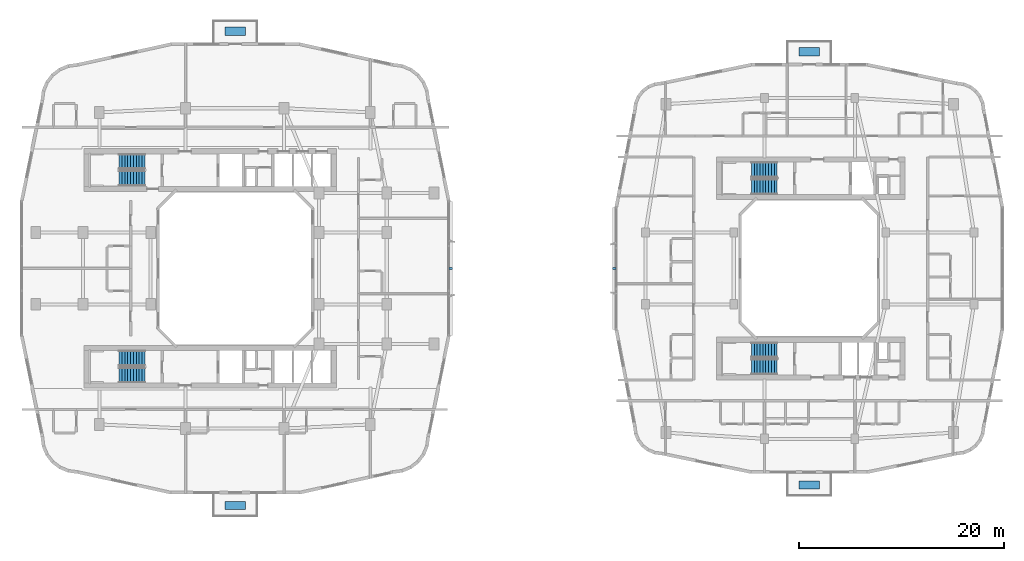
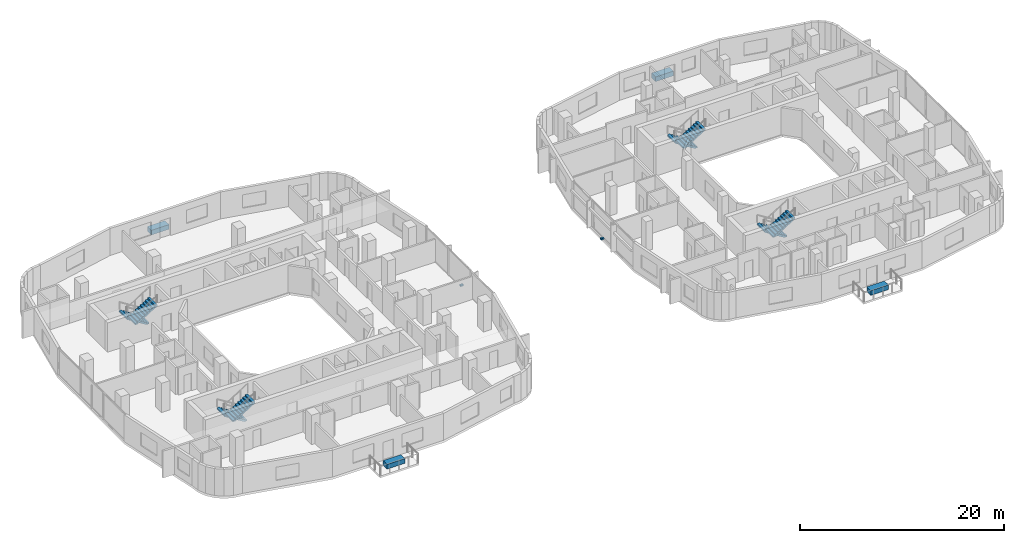
# One storey, part 17 of 22: 8 stair flights, 6 discrete accessories, 4 elements without a shape of their own.
"""IFC4 building model written with IfcOpenShell, lengths in metres."""

from ifc_helpers import new_model, si_unit, derived_unit, direction, frame, origin, origin_2d, place, context, subcontext, project, spatial, polyline, rectangle, outline, extrude, material, type_object, element, aggregate, save


model = new_model("IFC4")

# Units and contexts
model_context = context("Model", 3, precision=1e-05, world=origin(), true_north=direction((0.0, 1.0)))
body_context = subcontext(model_context, "Body", "Model", "MODEL_VIEW")
ifc_project = project(units=[si_unit("LENGTHUNIT", "METRE"), si_unit("AREAUNIT", "SQUARE_METRE"), si_unit("VOLUMEUNIT", "CUBIC_METRE"), si_unit("PLANEANGLEUNIT", "RADIAN"), si_unit("MASSUNIT", "GRAM", prefix="KILO"), derived_unit("THERMALTRANSMITTANCEUNIT", [(si_unit("POWERUNIT", "WATT"), 1), (si_unit("LENGTHUNIT", "METRE"), -2), (si_unit("THERMODYNAMICTEMPERATUREUNIT", "KELVIN"), -1)])], contexts=[model_context])

# Site, building, storey
site_placement = place(None, origin())
site = spatial("IfcSite", under=ifc_project, at=site_placement, CompositionType="ELEMENT")
building_placement = place(site_placement, origin())
building = spatial("IfcBuilding", under=site, at=building_placement, Name="Kivonza Crest Hotel", CompositionType="ELEMENT")
storey_placement = place(building_placement, frame((0.0, 0.0, 59.0)))
storey = spatial("IfcBuildingStorey", under=building, at=storey_placement, Name="L15", CompositionType="ELEMENT", Elevation=59.0)

# Stair, stair flights
ifc_material_1 = material(Name="Concrete C40/50", Category="concrete")
stair_type = type_object("IfcStairType", Name="ST-DL-20R", PredefinedType="HALF_TURN_STAIR", material=ifc_material_1)
stair_1_placement = place(storey_placement, origin())
stair_1 = element("IfcStair", 1, at=stair_1_placement, inside=storey, type_object=stair_type, Name="L15 Protected Exit Stair ST-T1-N", PredefinedType="HALF_TURN_STAIR")
stair_flight_type = type_object("IfcStairFlightType", Name="SFL-RC-10R", PredefinedType="STRAIGHT", material=ifc_material_1)
stair_flight_1_placement = place(storey_placement, frame((12.239990234375, 35.409912109375, 0.0), z_axis=(0.0, 0.0, 1.0), x_axis=(-1.0, 0.0, 0.0)))
stair_flight_1 = element("IfcStairFlight", 2, at=stair_flight_1_placement, type_object=stair_flight_type, Name="ST-T1-N flight 1", NumberOfRisers=10, NumberOfTreads=9, PredefinedType="STRAIGHT", RiserHeight=0.175, TreadLength=0.28, context=body_context, shape_type="SweptSolid", body=[
    extrude(outline(polyline([(0.0, 0.0), (0.0, 0.175048828125), (0.280029296875, 0.175048828125), (0.280029296875, 0.35009765625), (0.56005859375, 0.35009765625), (0.56005859375, 0.52490234375), (0.840087890625, 0.52490234375), (0.840087890625, 0.699951171875), (1.1201171875, 0.699951171875), (1.1201171875, 0.875), (1.39990234375, 0.875), (1.39990234375, 1.050048828125), (1.679931640625, 1.050048828125), (1.679931640625, 1.22509765625), (1.9599609375, 1.22509765625), (1.9599609375, 1.39990234375), (2.239990234375, 1.39990234375), (2.239990234375, 1.574951171875), (2.52001953125, 1.574951171875), (2.52001953125, 1.75), (2.52001953125, 1.398193359375), (0.28271484375, 0.0), (0.0, 0.0)])), frame((0.0, 0.75, 0.0), z_axis=(0.0, -1.0, 0.0), x_axis=(1.0, 0.0, 0.0)), (0.0, 0.0, 1.0), 1.5),
])
stair_flight_2_placement = place(storey_placement, frame((9.719970703125, 33.77001953125, 1.75), z_axis=(0.0, 0.0, 1.0), x_axis=(1.0, 0.0, 0.0)))
stair_flight_2 = element("IfcStairFlight", 3, at=stair_flight_2_placement, type_object=stair_flight_type, Name="ST-T1-N flight 2", NumberOfRisers=10, NumberOfTreads=9, PredefinedType="STRAIGHT", RiserHeight=0.175, TreadLength=0.28, context=body_context, shape_type="SweptSolid", body=[
    extrude(outline(polyline([(0.0, 0.0), (0.0, 0.175048828125), (0.280029296875, 0.175048828125), (0.280029296875, 0.35009765625), (0.56005859375, 0.35009765625), (0.56005859375, 0.52490234375), (0.840087890625, 0.52490234375), (0.840087890625, 0.699951171875), (1.1201171875, 0.699951171875), (1.1201171875, 0.875), (1.39990234375, 0.875), (1.39990234375, 1.050048828125), (1.679931640625, 1.050048828125), (1.679931640625, 1.22509765625), (1.9599609375, 1.22509765625), (1.9599609375, 1.39990234375), (2.239990234375, 1.39990234375), (2.239990234375, 1.574951171875), (2.52001953125, 1.574951171875), (2.52001953125, 1.75), (2.52001953125, 1.398193359375), (0.28271484375, 0.0), (0.0, 0.0)])), frame((0.0, 0.75, 0.0), z_axis=(0.0, -1.0, 0.0), x_axis=(1.0, 0.0, 0.0)), (0.0, 0.0, 1.0), 1.5),
])
aggregate(stair_1, [stair_flight_1, stair_flight_2])

stair_2_placement = place(storey_placement, origin())
stair_2 = element("IfcStair", 4, at=stair_2_placement, inside=storey, type_object=stair_type, Name="L15 Protected Exit Stair ST-T1-S", PredefinedType="HALF_TURN_STAIR")
stair_flight_3_placement = place(storey_placement, frame((12.239990234375, 16.25, 0.0), z_axis=(0.0, 0.0, 1.0), x_axis=(-1.0, 0.0, 0.0)))
stair_flight_3 = element("IfcStairFlight", 5, at=stair_flight_3_placement, type_object=stair_flight_type, Name="ST-T1-S flight 1", NumberOfRisers=10, NumberOfTreads=9, PredefinedType="STRAIGHT", RiserHeight=0.175, TreadLength=0.28, context=body_context, shape_type="SweptSolid", body=[
    extrude(outline(polyline([(0.0, 0.0), (0.0, 0.175048828125), (0.280029296875, 0.175048828125), (0.280029296875, 0.35009765625), (0.56005859375, 0.35009765625), (0.56005859375, 0.52490234375), (0.840087890625, 0.52490234375), (0.840087890625, 0.699951171875), (1.1201171875, 0.699951171875), (1.1201171875, 0.875), (1.39990234375, 0.875), (1.39990234375, 1.050048828125), (1.679931640625, 1.050048828125), (1.679931640625, 1.22509765625), (1.9599609375, 1.22509765625), (1.9599609375, 1.39990234375), (2.239990234375, 1.39990234375), (2.239990234375, 1.574951171875), (2.52001953125, 1.574951171875), (2.52001953125, 1.75), (2.52001953125, 1.398193359375), (0.28271484375, 0.0), (0.0, 0.0)])), frame((0.0, 0.75, 0.0), z_axis=(0.0, -1.0, 0.0), x_axis=(1.0, 0.0, 0.0)), (0.0, 0.0, 1.0), 1.5),
])
stair_flight_4_placement = place(storey_placement, frame((9.719970703125, 14.610107421875, 1.75), z_axis=(0.0, 0.0, 1.0), x_axis=(1.0, 0.0, 0.0)))
stair_flight_4 = element("IfcStairFlight", 6, at=stair_flight_4_placement, type_object=stair_flight_type, Name="ST-T1-S flight 2", NumberOfRisers=10, NumberOfTreads=9, PredefinedType="STRAIGHT", RiserHeight=0.175, TreadLength=0.28, context=body_context, shape_type="SweptSolid", body=[
    extrude(outline(polyline([(0.0, 0.0), (0.0, 0.175048828125), (0.280029296875, 0.175048828125), (0.280029296875, 0.35009765625), (0.56005859375, 0.35009765625), (0.56005859375, 0.52490234375), (0.840087890625, 0.52490234375), (0.840087890625, 0.699951171875), (1.1201171875, 0.699951171875), (1.1201171875, 0.875), (1.39990234375, 0.875), (1.39990234375, 1.050048828125), (1.679931640625, 1.050048828125), (1.679931640625, 1.22509765625), (1.9599609375, 1.22509765625), (1.9599609375, 1.39990234375), (2.239990234375, 1.39990234375), (2.239990234375, 1.574951171875), (2.52001953125, 1.574951171875), (2.52001953125, 1.75), (2.52001953125, 1.398193359375), (0.28271484375, 0.0), (0.0, 0.0)])), frame((0.0, 0.75, 0.0), z_axis=(0.0, -1.0, 0.0), x_axis=(1.0, 0.0, 0.0)), (0.0, 0.0, 1.0), 1.5),
])
aggregate(stair_2, [stair_flight_3, stair_flight_4])

stair_3_placement = place(storey_placement, origin())
stair_3 = element("IfcStair", 7, at=stair_3_placement, inside=storey, type_object=stair_type, Name="L15 Protected Exit Stair ST-T2-N", PredefinedType="HALF_TURN_STAIR")
stair_flight_5_placement = place(storey_placement, frame((73.840087890625, 34.610107421875, 0.0), z_axis=(0.0, 0.0, 1.0), x_axis=(-1.0, 0.0, 0.0)))
stair_flight_5 = element("IfcStairFlight", 8, at=stair_flight_5_placement, type_object=stair_flight_type, Name="ST-T2-N flight 1", NumberOfRisers=10, NumberOfTreads=9, PredefinedType="STRAIGHT", RiserHeight=0.175, TreadLength=0.28, context=body_context, shape_type="SweptSolid", body=[
    extrude(outline(polyline([(0.0, 0.0), (0.0, 0.175048828125), (0.280029296875, 0.175048828125), (0.280029296875, 0.35009765625), (0.56005859375, 0.35009765625), (0.56005859375, 0.52490234375), (0.840087890625, 0.52490234375), (0.840087890625, 0.699951171875), (1.1201171875, 0.699951171875), (1.1201171875, 0.875), (1.39990234375, 0.875), (1.39990234375, 1.050048828125), (1.679931640625, 1.050048828125), (1.679931640625, 1.22509765625), (1.9599609375, 1.22509765625), (1.9599609375, 1.39990234375), (2.239990234375, 1.39990234375), (2.239990234375, 1.574951171875), (2.52001953125, 1.574951171875), (2.52001953125, 1.75), (2.52001953125, 1.398193359375), (0.28271484375, 0.0), (0.0, 0.0)])), frame((0.0, 0.75, 0.0), z_axis=(0.0, -1.0, 0.0), x_axis=(1.0, 0.0, 0.0)), (0.0, 0.0, 1.0), 1.5),
])
stair_flight_6_placement = place(storey_placement, frame((71.320068359375, 32.969970703125, 1.75), z_axis=(0.0, 0.0, 1.0), x_axis=(1.0, 0.0, 0.0)))
stair_flight_6 = element("IfcStairFlight", 9, at=stair_flight_6_placement, type_object=stair_flight_type, Name="ST-T2-N flight 2", NumberOfRisers=10, NumberOfTreads=9, PredefinedType="STRAIGHT", RiserHeight=0.175, TreadLength=0.28, context=body_context, shape_type="SweptSolid", body=[
    extrude(outline(polyline([(0.0, 0.0), (0.0, 0.175048828125), (0.280029296875, 0.175048828125), (0.280029296875, 0.35009765625), (0.56005859375, 0.35009765625), (0.56005859375, 0.52490234375), (0.840087890625, 0.52490234375), (0.840087890625, 0.699951171875), (1.1201171875, 0.699951171875), (1.1201171875, 0.875), (1.39990234375, 0.875), (1.39990234375, 1.050048828125), (1.679931640625, 1.050048828125), (1.679931640625, 1.22509765625), (1.9599609375, 1.22509765625), (1.9599609375, 1.39990234375), (2.239990234375, 1.39990234375), (2.239990234375, 1.574951171875), (2.52001953125, 1.574951171875), (2.52001953125, 1.75), (2.52001953125, 1.398193359375), (0.28271484375, 0.0), (0.0, 0.0)])), frame((0.0, 0.75, 0.0), z_axis=(0.0, -1.0, 0.0), x_axis=(1.0, 0.0, 0.0)), (0.0, 0.0, 1.0), 1.5),
])
aggregate(stair_3, [stair_flight_5, stair_flight_6])

stair_4_placement = place(storey_placement, origin())
stair_4 = element("IfcStair", 10, at=stair_4_placement, inside=storey, type_object=stair_type, Name="L15 Protected Exit Stair ST-T2-S", PredefinedType="HALF_TURN_STAIR")
stair_flight_7_placement = place(storey_placement, frame((73.840087890625, 17.050048828125, 0.0), z_axis=(0.0, 0.0, 1.0), x_axis=(-1.0, 0.0, 0.0)))
stair_flight_7 = element("IfcStairFlight", 11, at=stair_flight_7_placement, type_object=stair_flight_type, Name="ST-T2-S flight 1", NumberOfRisers=10, NumberOfTreads=9, PredefinedType="STRAIGHT", RiserHeight=0.175, TreadLength=0.28, context=body_context, shape_type="SweptSolid", body=[
    extrude(outline(polyline([(0.0, 0.0), (0.0, 0.175048828125), (0.280029296875, 0.175048828125), (0.280029296875, 0.35009765625), (0.56005859375, 0.35009765625), (0.56005859375, 0.52490234375), (0.840087890625, 0.52490234375), (0.840087890625, 0.699951171875), (1.1201171875, 0.699951171875), (1.1201171875, 0.875), (1.39990234375, 0.875), (1.39990234375, 1.050048828125), (1.679931640625, 1.050048828125), (1.679931640625, 1.22509765625), (1.9599609375, 1.22509765625), (1.9599609375, 1.39990234375), (2.239990234375, 1.39990234375), (2.239990234375, 1.574951171875), (2.52001953125, 1.574951171875), (2.52001953125, 1.75), (2.52001953125, 1.398193359375), (0.28271484375, 0.0), (0.0, 0.0)])), frame((0.0, 0.75, 0.0), z_axis=(0.0, -1.0, 0.0), x_axis=(1.0, 0.0, 0.0)), (0.0, 0.0, 1.0), 1.5),
])
stair_flight_8_placement = place(storey_placement, frame((71.320068359375, 15.409912109375, 1.75), z_axis=(0.0, 0.0, 1.0), x_axis=(1.0, 0.0, 0.0)))
stair_flight_8 = element("IfcStairFlight", 12, at=stair_flight_8_placement, type_object=stair_flight_type, Name="ST-T2-S flight 2", NumberOfRisers=10, NumberOfTreads=9, PredefinedType="STRAIGHT", RiserHeight=0.175, TreadLength=0.28, context=body_context, shape_type="SweptSolid", body=[
    extrude(outline(polyline([(0.0, 0.0), (0.0, 0.175048828125), (0.280029296875, 0.175048828125), (0.280029296875, 0.35009765625), (0.56005859375, 0.35009765625), (0.56005859375, 0.52490234375), (0.840087890625, 0.52490234375), (0.840087890625, 0.699951171875), (1.1201171875, 0.699951171875), (1.1201171875, 0.875), (1.39990234375, 0.875), (1.39990234375, 1.050048828125), (1.679931640625, 1.050048828125), (1.679931640625, 1.22509765625), (1.9599609375, 1.22509765625), (1.9599609375, 1.39990234375), (2.239990234375, 1.39990234375), (2.239990234375, 1.574951171875), (2.52001953125, 1.574951171875), (2.52001953125, 1.75), (2.52001953125, 1.398193359375), (0.28271484375, 0.0), (0.0, 0.0)])), frame((0.0, 0.75, 0.0), z_axis=(0.0, -1.0, 0.0), x_axis=(1.0, 0.0, 0.0)), (0.0, 0.0, 1.0), 1.5),
])
aggregate(stair_4, [stair_flight_7, stair_flight_8])

# Discrete accessories
ifc_material_2 = material(Name="Stainless steel 316", Category="steel")
discrete_accessory_type_1 = type_object("IfcDiscreteAccessoryType", Name="AC-BRACKET-240", PredefinedType="BRACKET", material=ifc_material_2)
for number, where, z_axis, x_axis, name in (
    (13, (42.0400390625, 25.0, -0.009765625), (0.0, 0.0, 1.0), (0.0, 1.0, 0.0), "L15 terracotta baguette support bracket CW-T1-L15-17"),
    (14, (57.9599609375, 25.0, -0.009765625), (0.0, 0.0, 1.0), (0.0, -1.0, 0.0), "L15 terracotta baguette support bracket CW-T2-L15-35"),
):
    element("IfcDiscreteAccessory", number, at=place(storey_placement, frame(where, z_axis=z_axis, x_axis=x_axis)), inside=storey, type_object=discrete_accessory_type_1, Name=name, PredefinedType="BRACKET", context=body_context, shape_type="SweptSolid", body=[
        extrude(rectangle(XDim=0.219970703125, YDim=0.340087890625, at=origin_2d()), origin(), (0.0, 0.0, 1.0), 0.179931640625),
    ])
ifc_material_3 = material(Name="Precast GRC planter with engineered planting soil", Category="concrete")
discrete_accessory_type_2 = type_object("IfcDiscreteAccessoryType", Name="AC-PLANTER-1800", PredefinedType="USERDEFINED", material=ifc_material_3)
for number, where, z_axis, x_axis, name in (
    (15, (21.0400390625, 1.89990234375, 0.0), (0.0, 0.0, 1.0), (1.0, 0.0, 0.0), "T1 L15 SW sky-garden planter"),
    (16, (21.0400390625, 48.10009765625, 0.0), (0.0, 0.0, 1.0), (1.0, 0.0, 0.0), "T1 L15 NE sky-garden planter"),
    (17, (76.9599609375, 3.89990234375, 0.0), (0.0, 0.0, 1.0), (1.0, 0.0, 0.0), "T2 L15 SW sky-garden planter"),
    (18, (76.9599609375, 46.10009765625, 0.0), (0.0, 0.0, 1.0), (1.0, 0.0, 0.0), "T2 L15 NE sky-garden planter"),
):
    element("IfcDiscreteAccessory", number, at=place(storey_placement, frame(where, z_axis=z_axis, x_axis=x_axis)), inside=storey, type_object=discrete_accessory_type_2, Name=name, ObjectType="PLANTER", PredefinedType="USERDEFINED", context=body_context, shape_type="SweptSolid", body=[
        extrude(rectangle(XDim=2.0, YDim=0.800048828125, at=origin_2d()), origin(), (0.0, 0.0, 1.0), 0.550048828125),
    ])

save(model, "model.ifc")
